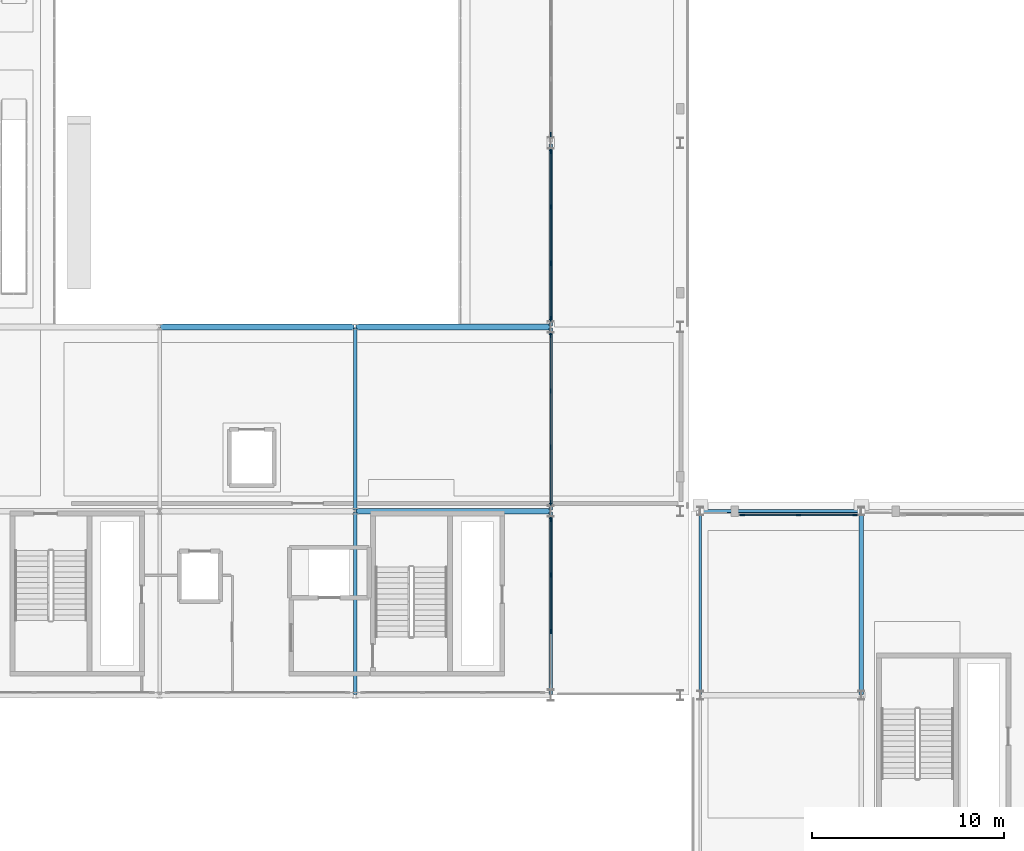
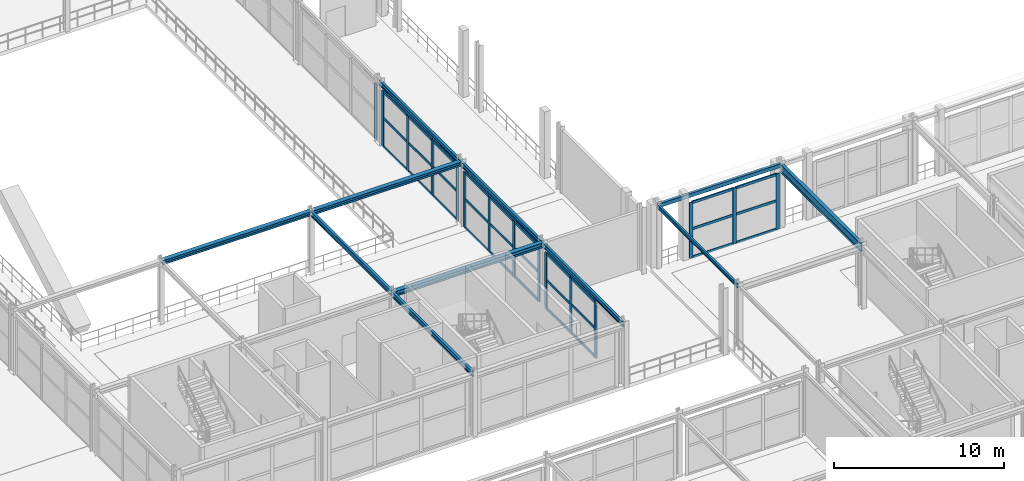
# One storey, part 39 of 125: 45 members, 11 beams, 5 elements without a shape of their own.
"""IFC4 building model written with IfcOpenShell, lengths in metres."""

import ifcopenshell
import ifcopenshell.guid

model = None  # the IFC model being written
_history = None  # IfcOwnerHistory: only IFC2X3 demands one
_inside = {}  # id of a spatial element -> (the spatial element, [elements in it])
_under = {}  # id of a project, library or spatial element -> (it, [spatial elements below it])
_declared = {}  # id of a project -> (the project, [libraries it declares])
_typed = {}  # id of a type object -> (the type object, [elements of that type])
_made_of = {}  # id of a material, layer set ... -> (it, [elements and type objects made of it])


def new_model(schema):
    """Start an empty IFC model of exactly this schema.

    Asked for "IFC4X3", IfcOpenShell would pick the latest addendum, in which some entities
    have other attributes; the version numbers below select the first issue.
    IFC2X3 requires an IfcOwnerHistory on every rooted entity: one is made here for all.
    """
    global model, _history
    if schema == "IFC4X3":
        model = ifcopenshell.file(schema_version=(4, 3, 0, 0))
    else:
        model = ifcopenshell.file(schema=schema)
    _inside.clear()
    _under.clear()
    _declared.clear()
    _typed.clear()
    _made_of.clear()
    _history = None
    if model.schema == "IFC2X3":
        org = make("IfcOrganization", Name="unknown")
        user = make(
            "IfcPersonAndOrganization",
            ThePerson=make("IfcPerson", FamilyName="unknown"),
            TheOrganization=org,
        )
        app = make(
            "IfcApplication",
            ApplicationDeveloper=org,
            Version="unknown",
            ApplicationFullName="unknown",
            ApplicationIdentifier="unknown",
        )
        _history = make(
            "IfcOwnerHistory",
            OwningUser=user,
            OwningApplication=app,
            ChangeAction="ADDED",
            CreationDate=0,
        )
    return model


def make(cls, **values):
    """One entity of the class cls with the attributes given. An attribute that is None is left unset."""
    return model.create_entity(
        cls, **{name: value for name, value in values.items() if value is not None}
    )


def rooted(cls, **values):
    """An entity with a GlobalId (a new one), such as an element, a storey or a relation."""
    return make(cls, GlobalId=ifcopenshell.guid.new(), OwnerHistory=_history, **values)


def si_unit(unit_type, name, prefix=None):
    """IfcSIUnit, for example si_unit("LENGTHUNIT", "METRE", prefix="MILLI")."""
    return make("IfcSIUnit", UnitType=unit_type, Prefix=prefix, Name=name)


def assignment(units):
    """IfcUnitAssignment: the units of a project."""
    return None if units is None else make("IfcUnitAssignment", Units=units)


def point(xyz):
    """IfcCartesianPoint."""
    return None if xyz is None else make("IfcCartesianPoint", Coordinates=xyz)


def direction(xyz):
    """IfcDirection."""
    return None if xyz is None else make("IfcDirection", DirectionRatios=xyz)


def frame(location, z_axis=None, x_axis=None):
    """IfcAxis2Placement3D, a coordinate frame: its origin and axes. An axis left out is left unset."""
    return make(
        "IfcAxis2Placement3D",
        Location=point(location),
        Axis=direction(z_axis),
        RefDirection=direction(x_axis),
    )


def frame_2d(location, x_axis=None):
    """IfcAxis2Placement2D, a coordinate frame in the plane: its origin and x axis."""
    return make(
        "IfcAxis2Placement2D", Location=point(location), RefDirection=direction(x_axis)
    )


def origin():
    """The frame at (0, 0, 0) with its axes left unset."""
    return frame((0.0, 0.0, 0.0))


def origin_2d():
    """The frame at (0, 0) in the plane with its x axis left unset."""
    return frame_2d((0.0, 0.0))


def place(relative_to, where):
    """IfcLocalPlacement: puts the frame where relative to a parent placement (None: the world)."""
    return make(
        "IfcLocalPlacement", PlacementRelTo=relative_to, RelativePlacement=where
    )


def context(
    kind, dimensions, precision=None, world=None, true_north=None, identifier=None
):
    """IfcGeometricRepresentationContext, for example the 3D "Model" context."""
    return make(
        "IfcGeometricRepresentationContext",
        ContextIdentifier=identifier,
        ContextType=kind,
        CoordinateSpaceDimension=dimensions,
        Precision=precision,
        WorldCoordinateSystem=world,
        TrueNorth=true_north,
    )


def subcontext(parent, identifier, kind, view, scale=None):
    """IfcGeometricRepresentationSubContext, for example "Body" below "Model"."""
    return make(
        "IfcGeometricRepresentationSubContext",
        ContextIdentifier=identifier,
        ContextType=kind,
        ParentContext=parent,
        TargetScale=scale,
        TargetView=view,
    )


def project(units=None, contexts=None):
    """IfcProject with its units and contexts."""
    return rooted(
        "IfcProject",
        Name="project",
        RepresentationContexts=contexts,
        UnitsInContext=assignment(units),
    )


def spatial(cls, under=None, at=None, **own):
    """A site, building, storey or space (cls), placed at a placement, below another one or the project."""
    s = rooted(cls, ObjectPlacement=at, **own)
    if under is not None:
        _under.setdefault(under.id(), (under, []))[1].append(s)
    return s


def profile(cls, at=None, kind="AREA", **sizes):
    """A parametric profile (cls). Its sizes go by their IFC names, for example OverallWidth=200.0."""
    return make(cls, ProfileType=kind, Position=at, **sizes)


def rectangle(**sizes):
    """IfcRectangleProfileDef."""
    return profile("IfcRectangleProfileDef", **sizes)


def hollow_rectangle(**sizes):
    """IfcRectangleHollowProfileDef."""
    return profile("IfcRectangleHollowProfileDef", **sizes)


def i_section(**sizes):
    """IfcIShapeProfileDef."""
    return profile("IfcIShapeProfileDef", **sizes)


def extrude(swept, where, along, depth):
    """IfcExtrudedAreaSolid: the profile swept, set in the frame where, extruded along a direction by depth."""
    return make(
        "IfcExtrudedAreaSolid",
        SweptArea=swept,
        Position=where,
        ExtrudedDirection=direction(along),
        Depth=depth,
    )


def shape(context_of_items, identifier, shape_type, items):
    """IfcShapeRepresentation: the items that make up one representation, for example the "Body"."""
    return make(
        "IfcShapeRepresentation",
        ContextOfItems=context_of_items,
        RepresentationIdentifier=identifier,
        RepresentationType=shape_type,
        Items=items,
    )


def material(Name=None, Category=None):
    """IfcMaterial."""
    return make("IfcMaterial", Name=Name, Category=Category)


def layer(
    of_material, thickness, ventilated=None, Name=None, Category=None, Priority=None
):
    """IfcMaterialLayer: one layer of a wall or slab, of a material (None: an air gap)."""
    return make(
        "IfcMaterialLayer",
        Material=of_material,
        LayerThickness=thickness,
        IsVentilated=ventilated,
        Name=Name,
        Category=Category,
        Priority=Priority,
    )


def layer_set(layers, Name=None):
    """IfcMaterialLayerSet."""
    return make("IfcMaterialLayerSet", MaterialLayers=layers, LayerSetName=Name)


def material_profile(
    of_material, cross_section, Name=None, Category=None, Priority=None
):
    """IfcMaterialProfile: a cross section and its material."""
    return make(
        "IfcMaterialProfile",
        Name=Name,
        Material=of_material,
        Profile=cross_section,
        Priority=Priority,
        Category=Category,
    )


def profile_set(profiles, Name=None, composite=None):
    """IfcMaterialProfileSet."""
    return make(
        "IfcMaterialProfileSet",
        Name=Name,
        MaterialProfiles=profiles,
        CompositeProfile=composite,
    )


def made_of(thing, what):
    """Note that an element or type object is made of a material, layer set ...; save() writes the relation."""
    if what is not None:
        _made_of.setdefault(what.id(), (what, []))[1].append(thing)
    return thing


def type_object(cls, material=None, **own):
    """A type object (cls), such as IfcWallType, which elements share."""
    return made_of(rooted(cls, **own), material)


def element(
    cls,
    number,
    at=None,
    inside=None,
    cuts=None,
    type_object=None,
    material=None,
    context=None,
    identifier="Body",
    shape_type=None,
    held_by="IfcProductDefinitionShape",
    body=None,
    shapes=None,
    **own,
):
    """One element of the class cls, such as IfcWall. Its Tag is "e" and its number.

    at: its placement. inside: the storey or other place that contains it. cuts: it is an
    opening in that element (IfcRelVoidsElement). A single representation is given by context,
    identifier, shape_type and body (its items); several are given by shapes. held_by: the class
    of the entity that holds the representations. save() writes the other relations.
    """
    e = rooted(cls, Tag="e%d" % number, ObjectPlacement=at, **own)
    if body is not None:
        shapes = [shape(context, identifier, shape_type, body)]
    if shapes is not None:
        e.Representation = make(held_by, Representations=shapes)
    if inside is not None:
        _inside.setdefault(inside.id(), (inside, []))[1].append(e)
    if cuts is not None:
        rooted(
            "IfcRelVoidsElement", RelatingBuildingElement=cuts, RelatedOpeningElement=e
        )
    if type_object is not None:
        _typed.setdefault(type_object.id(), (type_object, []))[1].append(e)
    return made_of(e, material)


def aggregate(whole, parts):
    """IfcRelAggregates: a whole, such as a stair, and the parts it consists of."""
    return rooted("IfcRelAggregates", RelatingObject=whole, RelatedObjects=parts)


def save(model, path):
    """Write the relations noted so far, then the file.

    IfcRelAggregates (storeys below a building ...), IfcRelContainedInSpatialStructure (elements
    in a storey), IfcRelDefinesByType, IfcRelAssociatesMaterial and IfcRelDeclares: one each for
    every whole, place, type object, material and project.
    """
    for whole, parts in _under.values():
        aggregate(whole, parts)
    for where, things in _inside.values():
        rooted(
            "IfcRelContainedInSpatialStructure",
            RelatedElements=things,
            RelatingStructure=where,
        )
    for kind, things in _typed.values():
        rooted("IfcRelDefinesByType", RelatedObjects=things, RelatingType=kind)
    for what, things in _made_of.values():
        rooted("IfcRelAssociatesMaterial", RelatedObjects=things, RelatingMaterial=what)
    for by, libraries in _declared.values():
        rooted("IfcRelDeclares", RelatingContext=by, RelatedDefinitions=libraries)
    model.write(path)


model = new_model("IFC4")

# Units and contexts
model_context = context("Model", 3, precision=1e-05, world=origin(), true_north=direction((0.0, 1.0)))
body_context = subcontext(model_context, "Body", "Model", "MODEL_VIEW")
ifc_project = project(units=[si_unit("LENGTHUNIT", "METRE"), si_unit("AREAUNIT", "SQUARE_METRE"), si_unit("VOLUMEUNIT", "CUBIC_METRE"), si_unit("PLANEANGLEUNIT", "RADIAN"), si_unit("MASSUNIT", "GRAM", prefix="KILO")], contexts=[model_context])

# Site, building, storey
site_placement = place(None, origin())
site = spatial("IfcSite", under=ifc_project, at=site_placement, CompositionType="ELEMENT")
building_placement = place(site_placement, origin())
building = spatial("IfcBuilding", under=site, at=building_placement, Name="Myrtia Square Station", CompositionType="ELEMENT")
storey_placement = place(building_placement, frame((0.0, 0.0, 6.0)))
storey = spatial("IfcBuildingStorey", under=building, at=storey_placement, Name="L01", CompositionType="ELEMENT", Elevation=6.0)

# Beams
ifc_material_1 = material(Name="Steel S355", Category="steel")
ifc_material_profile_1 = material_profile(ifc_material_1, i_section(OverallWidth=0.300048828125, OverallDepth=0.300048828125, WebThickness=0.010986328125, FlangeThickness=0.01904296875, FilletRadius=0.027099609375, at=origin_2d()), Name="HEB 300")
ifc_profile_set_1 = profile_set([ifc_material_profile_1], Name="Steel S355")
beam_type_1 = type_object("IfcBeamType", Name="BM-HEB300", PredefinedType="BEAM", material=ifc_profile_set_1)
for number, where, z_axis, x_axis, name in (
    (1, (89.449951171875, 48.0, 4.39990234375), (1.0, 0.0, 0.0), (0.0, 1.0, 0.0), "Structural girder BMX-L01-0541"),
    (2, (99.64990234375, 48.0, 4.39990234375), (1.0, 0.0, 0.0), (0.0, 1.0, 0.0), "Structural girder BMX-L01-0542"),
):
    element("IfcBeam", number, at=place(storey_placement, frame(where, z_axis=z_axis, x_axis=x_axis)), inside=storey, type_object=beam_type_1, Name=name, PredefinedType="BEAM", context=body_context, shape_type="SweptSolid", body=[
        extrude(i_section(OverallWidth=0.300048828125, OverallDepth=0.300048828125, WebThickness=0.010986328125, FlangeThickness=0.01904296875, FilletRadius=0.027099609375, at=origin_2d()), origin(), (0.0, 0.0, 1.0), 10.10009765625),
    ])
ifc_material_profile_2 = material_profile(ifc_material_1, i_section(OverallWidth=0.300048828125, OverallDepth=0.360107421875, WebThickness=0.012451171875, FlangeThickness=0.0224609375, FilletRadius=0.027099609375, at=origin_2d()), Name="HEB 360")
ifc_profile_set_2 = profile_set([ifc_material_profile_2], Name="Steel S355")
beam_type_2 = type_object("IfcBeamType", Name="BM-HEB360", PredefinedType="BEAM", material=ifc_profile_set_2)
beam_1_placement = place(storey_placement, frame((99.64990234375, 38.39990234375, 4.3701171875), z_axis=(1.0, 0.0, 0.0), x_axis=(0.0, 1.0, 0.0)))
element("IfcBeam", 3, at=beam_1_placement, inside=storey, type_object=beam_type_2, Name="Structural girder BMX-L01-0539", PredefinedType="BEAM", context=body_context, shape_type="SweptSolid", body=[
    extrude(i_section(OverallWidth=0.300048828125, OverallDepth=0.360107421875, WebThickness=0.012451171875, FlangeThickness=0.0224609375, FilletRadius=0.027099609375, at=origin_2d()), origin(), (0.0, 0.0, 1.0), 10.10009765625),
])
ifc_material_profile_3 = material_profile(ifc_material_1, i_section(OverallWidth=0.135009765625, OverallDepth=0.27001953125, WebThickness=0.006591796875, FlangeThickness=0.01025390625, FilletRadius=0.014892578125, at=origin_2d()), Name="IPE 270")
ifc_profile_set_3 = profile_set([ifc_material_profile_3], Name="Steel S355")
beam_type_3 = type_object("IfcBeamType", Name="BM-IPE270", PredefinedType="BEAM", material=ifc_profile_set_3)
beam_2_placement = place(storey_placement, frame((117.60009765625, 28.85009765625, 4.4150390625), z_axis=(0.0, 1.0, 0.0), x_axis=(-1.0, 0.0, 0.0)))
element("IfcBeam", 4, at=beam_2_placement, inside=storey, type_object=beam_type_3, Name="Structural girder BMY-L01-0615", PredefinedType="BEAM", context=body_context, shape_type="SweptSolid", body=[
    extrude(i_section(OverallWidth=0.135009765625, OverallDepth=0.27001953125, WebThickness=0.006591796875, FlangeThickness=0.01025390625, FilletRadius=0.014892578125, at=origin_2d()), origin(), (0.0, 0.0, 1.0), 9.5),
])
ifc_material_profile_4 = material_profile(ifc_material_1, i_section(OverallWidth=0.159912109375, OverallDepth=0.330078125, WebThickness=0.007568359375, FlangeThickness=0.011474609375, FilletRadius=0.01806640625, at=origin_2d()), Name="IPE 330")
ifc_profile_set_4 = profile_set([ifc_material_profile_4], Name="Steel S355")
beam_type_4 = type_object("IfcBeamType", Name="BM-IPE330", PredefinedType="BEAM", material=ifc_profile_set_4)
for number, where, z_axis, x_axis, name in (
    (5, (109.800048828125, 28.85009765625, 4.385009765625), (0.0, 1.0, 0.0), (-1.0, 0.0, 0.0), "Structural girder BMY-L01-0567"),
    (6, (109.800048828125, 38.449951171875, 4.385009765625), (0.0, 1.0, 0.0), (-1.0, 0.0, 0.0), "Structural girder BMY-L01-0568"),
    (7, (109.800048828125, 48.050048828125, 4.385009765625), (0.0, 1.0, 0.0), (-1.0, 0.0, 0.0), "Structural girder BMY-L01-0569"),
):
    element("IfcBeam", number, at=place(storey_placement, frame(where, z_axis=z_axis, x_axis=x_axis)), inside=storey, type_object=beam_type_4, Name=name, PredefinedType="BEAM", context=body_context, shape_type="SweptSolid", body=[
        extrude(i_section(OverallWidth=0.159912109375, OverallDepth=0.330078125, WebThickness=0.007568359375, FlangeThickness=0.011474609375, FilletRadius=0.01806640625, at=origin_2d()), origin(), (0.0, 0.0, 1.0), 9.5),
    ])
ifc_material_profile_5 = material_profile(ifc_material_1, i_section(OverallWidth=0.169921875, OverallDepth=0.360107421875, WebThickness=0.008056640625, FlangeThickness=0.0126953125, FilletRadius=0.01806640625, at=origin_2d()), Name="IPE 360")
ifc_profile_set_5 = profile_set([ifc_material_profile_5], Name="Steel S355")
beam_type_5 = type_object("IfcBeamType", Name="BM-IPE360", PredefinedType="BEAM", material=ifc_profile_set_5)
for number, where, z_axis, x_axis, name in (
    (8, (99.60009765625, 28.85009765625, 4.3701171875), (0.0, 1.0, 0.0), (-1.0, 0.0, 0.0), "Structural girder BMY-L01-0563"),
    (9, (99.60009765625, 38.449951171875, 4.3701171875), (0.0, 1.0, 0.0), (-1.0, 0.0, 0.0), "Structural girder BMY-L01-0564"),
):
    element("IfcBeam", number, at=place(storey_placement, frame(where, z_axis=z_axis, x_axis=x_axis)), inside=storey, type_object=beam_type_5, Name=name, PredefinedType="BEAM", context=body_context, shape_type="SweptSolid", body=[
        extrude(i_section(OverallWidth=0.169921875, OverallDepth=0.360107421875, WebThickness=0.008056640625, FlangeThickness=0.0126953125, FilletRadius=0.01806640625, at=origin_2d()), origin(), (0.0, 0.0, 1.0), 9.5),
    ])
ifc_material_profile_6 = material_profile(ifc_material_1, i_section(OverallWidth=0.219970703125, OverallDepth=0.60009765625, WebThickness=0.011962890625, FlangeThickness=0.01904296875, FilletRadius=0.02392578125, at=origin_2d()), Name="IPE 600")
ifc_profile_set_6 = profile_set([ifc_material_profile_6], Name="Steel S355")
beam_type_6 = type_object("IfcBeamType", Name="BM-IPE600", PredefinedType="BEAM", material=ifc_profile_set_6)
beam_3_placement = place(storey_placement, frame((126.0, 28.85009765625, 4.25), z_axis=(0.0, 1.0, 0.0), x_axis=(-1.0, 0.0, 0.0)))
element("IfcBeam", 10, at=beam_3_placement, inside=storey, type_object=beam_type_6, Name="Structural girder BMY-L01-0619", PredefinedType="BEAM", context=body_context, shape_type="SweptSolid", body=[
    extrude(i_section(OverallWidth=0.219970703125, OverallDepth=0.60009765625, WebThickness=0.011962890625, FlangeThickness=0.01904296875, FilletRadius=0.02392578125, at=origin_2d()), origin(), (0.0, 0.0, 1.0), 9.5),
])

# Curtain wall, members
ifc_material_2 = material(Name="Dark bronze anodised aluminium", Category="aluminium")
ifc_layer_1 = layer(ifc_material_2, 0.159912109375, Name="Dark bronze anodised aluminium")
ifc_layer_set_1 = layer_set([ifc_layer_1], Name="Dark bronze anodised aluminium")
curtain_wall_type_1 = type_object("IfcCurtainWallType", Name="CW-TYPE-04-880x400", PredefinedType="USERDEFINED", material=ifc_layer_set_1)
curtain_wall_1_placement = place(storey_placement, origin())
curtain_wall_1 = element("IfcCurtainWall", 11, at=curtain_wall_1_placement, inside=storey, type_object=curtain_wall_type_1, Name="Concourse curtain wall CW-L01-006", ObjectType="CONCOURSE CURTAIN WALL", PredefinedType="USERDEFINED")
ifc_material_profile_7 = material_profile(ifc_material_2, rectangle(XDim=0.074951171875, YDim=0.239990234375, at=origin_2d()), Name="ALU-M 75x240")
ifc_profile_set_7 = profile_set([ifc_material_profile_7], Name="Dark bronze anodised aluminium")
member_type_1 = type_object("IfcMemberType", Name="CWM-75x240", PredefinedType="MULLION", material=ifc_profile_set_7)
member_1_placement = place(storey_placement, frame((109.800048828125, 32.13330078125, 0.0), z_axis=(0.0, 0.0, 1.0), x_axis=(-1.0, 0.0, 0.0)))
member_1 = element("IfcMember", 12, at=member_1_placement, type_object=member_type_1, Name="CW-006 mullion 2", PredefinedType="MULLION", context=body_context, shape_type="SweptSolid", body=[
    extrude(rectangle(XDim=0.074951171875, YDim=0.239990234375, at=origin_2d()), origin(), (0.0, 0.0, 1.0), 4.0),
])
member_2_placement = place(storey_placement, frame((109.800048828125, 35.066650390625, 0.0), z_axis=(0.0, 0.0, 1.0), x_axis=(-1.0, 0.0, 0.0)))
member_2 = element("IfcMember", 13, at=member_2_placement, type_object=member_type_1, Name="CW-006 mullion 3", PredefinedType="MULLION", context=body_context, shape_type="SweptSolid", body=[
    extrude(rectangle(XDim=0.074951171875, YDim=0.239990234375, at=origin_2d()), origin(), (0.0, 0.0, 1.0), 4.0),
])
member_3_placement = place(storey_placement, frame((109.800048828125, 37.96240234375, 0.0), z_axis=(0.0, 0.0, 1.0), x_axis=(-1.0, 0.0, 0.0)))
member_3 = element("IfcMember", 14, at=member_3_placement, type_object=member_type_1, Name="CW-006 mullion 4", PredefinedType="MULLION", context=body_context, shape_type="SweptSolid", body=[
    extrude(rectangle(XDim=0.074951171875, YDim=0.239990234375, at=origin_2d()), origin(), (0.0, 0.0, 1.0), 4.0),
])

curtain_wall_2_placement = place(storey_placement, origin())
curtain_wall_2 = element("IfcCurtainWall", 15, at=curtain_wall_2_placement, inside=storey, type_object=curtain_wall_type_1, Name="Concourse curtain wall CW-L01-008", ObjectType="CONCOURSE CURTAIN WALL", PredefinedType="USERDEFINED")
member_4_placement = place(storey_placement, frame((109.800048828125, 38.83740234375, 0.0), z_axis=(0.0, 0.0, 1.0), x_axis=(-1.0, 0.0, 0.0)))
member_4 = element("IfcMember", 16, at=member_4_placement, type_object=member_type_1, Name="CW-008 mullion 1", PredefinedType="MULLION", context=body_context, shape_type="SweptSolid", body=[
    extrude(rectangle(XDim=0.074951171875, YDim=0.239990234375, at=origin_2d()), origin(), (0.0, 0.0, 1.0), 4.0),
])
member_5_placement = place(storey_placement, frame((109.800048828125, 41.7333984375, 0.0), z_axis=(0.0, 0.0, 1.0), x_axis=(-1.0, 0.0, 0.0)))
member_5 = element("IfcMember", 17, at=member_5_placement, type_object=member_type_1, Name="CW-008 mullion 2", PredefinedType="MULLION", context=body_context, shape_type="SweptSolid", body=[
    extrude(rectangle(XDim=0.074951171875, YDim=0.239990234375, at=origin_2d()), origin(), (0.0, 0.0, 1.0), 4.0),
])
member_6_placement = place(storey_placement, frame((109.800048828125, 44.666748046875, 0.0), z_axis=(0.0, 0.0, 1.0), x_axis=(-1.0, 0.0, 0.0)))
member_6 = element("IfcMember", 18, at=member_6_placement, type_object=member_type_1, Name="CW-008 mullion 3", PredefinedType="MULLION", context=body_context, shape_type="SweptSolid", body=[
    extrude(rectangle(XDim=0.074951171875, YDim=0.239990234375, at=origin_2d()), origin(), (0.0, 0.0, 1.0), 4.0),
])
member_7_placement = place(storey_placement, frame((109.800048828125, 47.5625, 0.0), z_axis=(0.0, 0.0, 1.0), x_axis=(-1.0, 0.0, 0.0)))
member_7 = element("IfcMember", 19, at=member_7_placement, type_object=member_type_1, Name="CW-008 mullion 4", PredefinedType="MULLION", context=body_context, shape_type="SweptSolid", body=[
    extrude(rectangle(XDim=0.074951171875, YDim=0.239990234375, at=origin_2d()), origin(), (0.0, 0.0, 1.0), 4.0),
])

curtain_wall_3_placement = place(storey_placement, origin())
curtain_wall_3 = element("IfcCurtainWall", 20, at=curtain_wall_3_placement, inside=storey, type_object=curtain_wall_type_1, Name="Concourse curtain wall CW-L01-010", ObjectType="CONCOURSE CURTAIN WALL", PredefinedType="USERDEFINED")
member_8_placement = place(storey_placement, frame((109.800048828125, 48.4375, 0.0), z_axis=(0.0, 0.0, 1.0), x_axis=(-1.0, 0.0, 0.0)))
member_8 = element("IfcMember", 21, at=member_8_placement, type_object=member_type_1, Name="CW-010 mullion 1", PredefinedType="MULLION", context=body_context, shape_type="SweptSolid", body=[
    extrude(rectangle(XDim=0.074951171875, YDim=0.239990234375, at=origin_2d()), origin(), (0.0, 0.0, 1.0), 4.0),
])
member_9_placement = place(storey_placement, frame((109.800048828125, 51.333251953125, 0.0), z_axis=(0.0, 0.0, 1.0), x_axis=(-1.0, 0.0, 0.0)))
member_9 = element("IfcMember", 22, at=member_9_placement, type_object=member_type_1, Name="CW-010 mullion 2", PredefinedType="MULLION", context=body_context, shape_type="SweptSolid", body=[
    extrude(rectangle(XDim=0.074951171875, YDim=0.239990234375, at=origin_2d()), origin(), (0.0, 0.0, 1.0), 4.0),
])
member_10_placement = place(storey_placement, frame((109.800048828125, 54.2666015625, 0.0), z_axis=(0.0, 0.0, 1.0), x_axis=(-1.0, 0.0, 0.0)))
member_10 = element("IfcMember", 23, at=member_10_placement, type_object=member_type_1, Name="CW-010 mullion 3", PredefinedType="MULLION", context=body_context, shape_type="SweptSolid", body=[
    extrude(rectangle(XDim=0.074951171875, YDim=0.239990234375, at=origin_2d()), origin(), (0.0, 0.0, 1.0), 4.0),
])
member_11_placement = place(storey_placement, frame((109.800048828125, 57.16259765625, 0.0), z_axis=(0.0, 0.0, 1.0), x_axis=(-1.0, 0.0, 0.0)))
member_11 = element("IfcMember", 24, at=member_11_placement, type_object=member_type_1, Name="CW-010 mullion 4", PredefinedType="MULLION", context=body_context, shape_type="SweptSolid", body=[
    extrude(rectangle(XDim=0.074951171875, YDim=0.239990234375, at=origin_2d()), origin(), (0.0, 0.0, 1.0), 4.0),
])

# Curtain wall, member
curtain_wall_4_placement = place(storey_placement, origin())
curtain_wall_4 = element("IfcCurtainWall", 25, at=curtain_wall_4_placement, inside=storey, type_object=curtain_wall_type_1, Name="Concourse curtain wall CW-L01-012", ObjectType="CONCOURSE CURTAIN WALL", PredefinedType="USERDEFINED")
member_12_placement = place(storey_placement, frame((109.800048828125, 58.03759765625, 0.0), z_axis=(0.0, 0.0, 1.0), x_axis=(-1.0, 0.0, 0.0)))
member_12 = element("IfcMember", 26, at=member_12_placement, type_object=member_type_1, Name="CW-012 mullion 1", PredefinedType="MULLION", context=body_context, shape_type="SweptSolid", body=[
    extrude(rectangle(XDim=0.074951171875, YDim=0.239990234375, at=origin_2d()), origin(), (0.0, 0.0, 1.0), 4.0),
])
aggregate(curtain_wall_4, [member_12])

# Curtain wall, members
ifc_layer_2 = layer(ifc_material_2, 0.159912109375, Name="Dark bronze anodised aluminium")
ifc_layer_set_2 = layer_set([ifc_layer_2], Name="Dark bronze anodised aluminium")
curtain_wall_type_2 = type_object("IfcCurtainWallType", Name="CW-TYPE-25-595x400", PredefinedType="USERDEFINED", material=ifc_layer_set_2)
curtain_wall_5_placement = place(storey_placement, origin())
curtain_wall_5 = element("IfcCurtainWall", 27, at=curtain_wall_5_placement, inside=storey, type_object=curtain_wall_type_2, Name="Concourse curtain wall CW-L01-090", ObjectType="CONCOURSE CURTAIN WALL", PredefinedType="USERDEFINED")
member_13_placement = place(storey_placement, frame((119.78759765625, 38.199951171875, 0.0), z_axis=(0.0, 0.0, 1.0), x_axis=(0.0, 1.0, 0.0)))
member_13 = element("IfcMember", 28, at=member_13_placement, type_object=member_type_1, Name="CW-090 mullion 1", PredefinedType="MULLION", context=body_context, shape_type="SweptSolid", body=[
    extrude(rectangle(XDim=0.074951171875, YDim=0.239990234375, at=origin_2d()), origin(), (0.0, 0.0, 1.0), 4.0),
])
member_14_placement = place(storey_placement, frame((122.72509765625, 38.199951171875, 0.0), z_axis=(0.0, 0.0, 1.0), x_axis=(0.0, 1.0, 0.0)))
member_14 = element("IfcMember", 29, at=member_14_placement, type_object=member_type_1, Name="CW-090 mullion 2", PredefinedType="MULLION", context=body_context, shape_type="SweptSolid", body=[
    extrude(rectangle(XDim=0.074951171875, YDim=0.239990234375, at=origin_2d()), origin(), (0.0, 0.0, 1.0), 4.0),
])
member_15_placement = place(storey_placement, frame((125.66259765625, 38.199951171875, 0.0), z_axis=(0.0, 0.0, 1.0), x_axis=(0.0, 1.0, 0.0)))
member_15 = element("IfcMember", 30, at=member_15_placement, type_object=member_type_1, Name="CW-090 mullion 3", PredefinedType="MULLION", context=body_context, shape_type="SweptSolid", body=[
    extrude(rectangle(XDim=0.074951171875, YDim=0.239990234375, at=origin_2d()), origin(), (0.0, 0.0, 1.0), 4.0),
])

# Member
ifc_material_profile_8 = material_profile(ifc_material_2, rectangle(XDim=0.074951171875, YDim=0.179931640625, at=origin_2d()), Name="ALU-T 75x180")
ifc_profile_set_8 = profile_set([ifc_material_profile_8], Name="Dark bronze anodised aluminium")
member_type_2 = type_object("IfcMemberType", Name="CWT-75x180", PredefinedType="USERDEFINED", material=ifc_profile_set_8)
member_16_placement = place(storey_placement, frame((109.800048828125, 32.1708984375, 0.03759765625), z_axis=(0.0, 1.0, 0.0), x_axis=(-1.0, 0.0, 0.0)))
member_16 = element("IfcMember", 31, at=member_16_placement, type_object=member_type_2, Name="CW-006 transom 2.1", ObjectType="TRANSOM", PredefinedType="USERDEFINED", context=body_context, shape_type="SweptSolid", body=[
    extrude(rectangle(XDim=0.074951171875, YDim=0.179931640625, at=origin_2d()), origin(), (0.0, 0.0, 1.0), 2.858154296875),
])

member_17_placement = place(storey_placement, frame((109.800048828125, 32.1708984375, 2.080078125), z_axis=(0.0, 1.0, 0.0), x_axis=(-1.0, 0.0, 0.0)))
member_17 = element("IfcMember", 32, at=member_17_placement, type_object=member_type_2, Name="CW-006 transom 2.2", ObjectType="TRANSOM", PredefinedType="USERDEFINED", context=body_context, shape_type="SweptSolid", body=[
    extrude(rectangle(XDim=0.074951171875, YDim=0.179931640625, at=origin_2d()), origin(), (0.0, 0.0, 1.0), 2.858154296875),
])

member_18_placement = place(storey_placement, frame((109.800048828125, 32.1708984375, 3.96240234375), z_axis=(0.0, 1.0, 0.0), x_axis=(-1.0, 0.0, 0.0)))
member_18 = element("IfcMember", 33, at=member_18_placement, type_object=member_type_2, Name="CW-006 transom 2.3", ObjectType="TRANSOM", PredefinedType="USERDEFINED", context=body_context, shape_type="SweptSolid", body=[
    extrude(rectangle(XDim=0.074951171875, YDim=0.179931640625, at=origin_2d()), origin(), (0.0, 0.0, 1.0), 2.858154296875),
])

member_19_placement = place(storey_placement, frame((109.800048828125, 35.104248046875, 0.03759765625), z_axis=(0.0, 1.0, 0.0), x_axis=(-1.0, 0.0, 0.0)))
member_19 = element("IfcMember", 34, at=member_19_placement, type_object=member_type_2, Name="CW-006 transom 3.1", ObjectType="TRANSOM", PredefinedType="USERDEFINED", context=body_context, shape_type="SweptSolid", body=[
    extrude(rectangle(XDim=0.074951171875, YDim=0.179931640625, at=origin_2d()), origin(), (0.0, 0.0, 1.0), 2.82080078125),
])

member_20_placement = place(storey_placement, frame((109.800048828125, 35.104248046875, 2.080078125), z_axis=(0.0, 1.0, 0.0), x_axis=(-1.0, 0.0, 0.0)))
member_20 = element("IfcMember", 35, at=member_20_placement, type_object=member_type_2, Name="CW-006 transom 3.2", ObjectType="TRANSOM", PredefinedType="USERDEFINED", context=body_context, shape_type="SweptSolid", body=[
    extrude(rectangle(XDim=0.074951171875, YDim=0.179931640625, at=origin_2d()), origin(), (0.0, 0.0, 1.0), 2.82080078125),
])

member_21_placement = place(storey_placement, frame((109.800048828125, 35.104248046875, 3.96240234375), z_axis=(0.0, 1.0, 0.0), x_axis=(-1.0, 0.0, 0.0)))
member_21 = element("IfcMember", 36, at=member_21_placement, type_object=member_type_2, Name="CW-006 transom 3.3", ObjectType="TRANSOM", PredefinedType="USERDEFINED", context=body_context, shape_type="SweptSolid", body=[
    extrude(rectangle(XDim=0.074951171875, YDim=0.179931640625, at=origin_2d()), origin(), (0.0, 0.0, 1.0), 2.82080078125),
])

aggregate(curtain_wall_1, [member_1, member_2, member_3, member_16, member_17, member_18, member_19, member_20, member_21])

member_22_placement = place(storey_placement, frame((109.800048828125, 38.875, 0.03759765625), z_axis=(0.0, 1.0, 0.0), x_axis=(-1.0, 0.0, 0.0)))
member_22 = element("IfcMember", 37, at=member_22_placement, type_object=member_type_2, Name="CW-008 transom 1.1", ObjectType="TRANSOM", PredefinedType="USERDEFINED", context=body_context, shape_type="SweptSolid", body=[
    extrude(rectangle(XDim=0.074951171875, YDim=0.179931640625, at=origin_2d()), origin(), (0.0, 0.0, 1.0), 2.82080078125),
])

member_23_placement = place(storey_placement, frame((109.800048828125, 38.875, 2.080078125), z_axis=(0.0, 1.0, 0.0), x_axis=(-1.0, 0.0, 0.0)))
member_23 = element("IfcMember", 38, at=member_23_placement, type_object=member_type_2, Name="CW-008 transom 1.2", ObjectType="TRANSOM", PredefinedType="USERDEFINED", context=body_context, shape_type="SweptSolid", body=[
    extrude(rectangle(XDim=0.074951171875, YDim=0.179931640625, at=origin_2d()), origin(), (0.0, 0.0, 1.0), 2.82080078125),
])

member_24_placement = place(storey_placement, frame((109.800048828125, 38.875, 3.96240234375), z_axis=(0.0, 1.0, 0.0), x_axis=(-1.0, 0.0, 0.0)))
member_24 = element("IfcMember", 39, at=member_24_placement, type_object=member_type_2, Name="CW-008 transom 1.3", ObjectType="TRANSOM", PredefinedType="USERDEFINED", context=body_context, shape_type="SweptSolid", body=[
    extrude(rectangle(XDim=0.074951171875, YDim=0.179931640625, at=origin_2d()), origin(), (0.0, 0.0, 1.0), 2.82080078125),
])

member_25_placement = place(storey_placement, frame((109.800048828125, 41.770751953125, 0.03759765625), z_axis=(0.0, 1.0, 0.0), x_axis=(-1.0, 0.0, 0.0)))
member_25 = element("IfcMember", 40, at=member_25_placement, type_object=member_type_2, Name="CW-008 transom 2.1", ObjectType="TRANSOM", PredefinedType="USERDEFINED", context=body_context, shape_type="SweptSolid", body=[
    extrude(rectangle(XDim=0.074951171875, YDim=0.179931640625, at=origin_2d()), origin(), (0.0, 0.0, 1.0), 2.8583984375),
])

member_26_placement = place(storey_placement, frame((109.800048828125, 41.770751953125, 2.080078125), z_axis=(0.0, 1.0, 0.0), x_axis=(-1.0, 0.0, 0.0)))
member_26 = element("IfcMember", 41, at=member_26_placement, type_object=member_type_2, Name="CW-008 transom 2.2", ObjectType="TRANSOM", PredefinedType="USERDEFINED", context=body_context, shape_type="SweptSolid", body=[
    extrude(rectangle(XDim=0.074951171875, YDim=0.179931640625, at=origin_2d()), origin(), (0.0, 0.0, 1.0), 2.8583984375),
])

member_27_placement = place(storey_placement, frame((109.800048828125, 41.770751953125, 3.96240234375), z_axis=(0.0, 1.0, 0.0), x_axis=(-1.0, 0.0, 0.0)))
member_27 = element("IfcMember", 42, at=member_27_placement, type_object=member_type_2, Name="CW-008 transom 2.3", ObjectType="TRANSOM", PredefinedType="USERDEFINED", context=body_context, shape_type="SweptSolid", body=[
    extrude(rectangle(XDim=0.074951171875, YDim=0.179931640625, at=origin_2d()), origin(), (0.0, 0.0, 1.0), 2.8583984375),
])

member_28_placement = place(storey_placement, frame((109.800048828125, 44.7041015625, 0.03759765625), z_axis=(0.0, 1.0, 0.0), x_axis=(-1.0, 0.0, 0.0)))
member_28 = element("IfcMember", 43, at=member_28_placement, type_object=member_type_2, Name="CW-008 transom 3.1", ObjectType="TRANSOM", PredefinedType="USERDEFINED", context=body_context, shape_type="SweptSolid", body=[
    extrude(rectangle(XDim=0.074951171875, YDim=0.179931640625, at=origin_2d()), origin(), (0.0, 0.0, 1.0), 2.82080078125),
])

member_29_placement = place(storey_placement, frame((109.800048828125, 44.7041015625, 2.080078125), z_axis=(0.0, 1.0, 0.0), x_axis=(-1.0, 0.0, 0.0)))
member_29 = element("IfcMember", 44, at=member_29_placement, type_object=member_type_2, Name="CW-008 transom 3.2", ObjectType="TRANSOM", PredefinedType="USERDEFINED", context=body_context, shape_type="SweptSolid", body=[
    extrude(rectangle(XDim=0.074951171875, YDim=0.179931640625, at=origin_2d()), origin(), (0.0, 0.0, 1.0), 2.82080078125),
])

member_30_placement = place(storey_placement, frame((109.800048828125, 44.7041015625, 3.96240234375), z_axis=(0.0, 1.0, 0.0), x_axis=(-1.0, 0.0, 0.0)))
member_30 = element("IfcMember", 45, at=member_30_placement, type_object=member_type_2, Name="CW-008 transom 3.3", ObjectType="TRANSOM", PredefinedType="USERDEFINED", context=body_context, shape_type="SweptSolid", body=[
    extrude(rectangle(XDim=0.074951171875, YDim=0.179931640625, at=origin_2d()), origin(), (0.0, 0.0, 1.0), 2.82080078125),
])

aggregate(curtain_wall_2, [member_4, member_5, member_6, member_7, member_22, member_23, member_24, member_25, member_26, member_27, member_28, member_29, member_30])

member_31_placement = place(storey_placement, frame((109.800048828125, 48.47509765625, 0.03759765625), z_axis=(0.0, 1.0, 0.0), x_axis=(-1.0, 0.0, 0.0)))
member_31 = element("IfcMember", 46, at=member_31_placement, type_object=member_type_2, Name="CW-010 transom 1.1", ObjectType="TRANSOM", PredefinedType="USERDEFINED", context=body_context, shape_type="SweptSolid", body=[
    extrude(rectangle(XDim=0.074951171875, YDim=0.179931640625, at=origin_2d()), origin(), (0.0, 0.0, 1.0), 2.82080078125),
])

member_32_placement = place(storey_placement, frame((109.800048828125, 48.47509765625, 2.080078125), z_axis=(0.0, 1.0, 0.0), x_axis=(-1.0, 0.0, 0.0)))
member_32 = element("IfcMember", 47, at=member_32_placement, type_object=member_type_2, Name="CW-010 transom 1.2", ObjectType="TRANSOM", PredefinedType="USERDEFINED", context=body_context, shape_type="SweptSolid", body=[
    extrude(rectangle(XDim=0.074951171875, YDim=0.179931640625, at=origin_2d()), origin(), (0.0, 0.0, 1.0), 2.82080078125),
])

member_33_placement = place(storey_placement, frame((109.800048828125, 48.47509765625, 3.96240234375), z_axis=(0.0, 1.0, 0.0), x_axis=(-1.0, 0.0, 0.0)))
member_33 = element("IfcMember", 48, at=member_33_placement, type_object=member_type_2, Name="CW-010 transom 1.3", ObjectType="TRANSOM", PredefinedType="USERDEFINED", context=body_context, shape_type="SweptSolid", body=[
    extrude(rectangle(XDim=0.074951171875, YDim=0.179931640625, at=origin_2d()), origin(), (0.0, 0.0, 1.0), 2.82080078125),
])

member_34_placement = place(storey_placement, frame((109.800048828125, 51.370849609375, 0.03759765625), z_axis=(0.0, 1.0, 0.0), x_axis=(-1.0, 0.0, 0.0)))
member_34 = element("IfcMember", 49, at=member_34_placement, type_object=member_type_2, Name="CW-010 transom 2.1", ObjectType="TRANSOM", PredefinedType="USERDEFINED", context=body_context, shape_type="SweptSolid", body=[
    extrude(rectangle(XDim=0.074951171875, YDim=0.179931640625, at=origin_2d()), origin(), (0.0, 0.0, 1.0), 2.8583984375),
])

member_35_placement = place(storey_placement, frame((109.800048828125, 51.370849609375, 2.080078125), z_axis=(0.0, 1.0, 0.0), x_axis=(-1.0, 0.0, 0.0)))
member_35 = element("IfcMember", 50, at=member_35_placement, type_object=member_type_2, Name="CW-010 transom 2.2", ObjectType="TRANSOM", PredefinedType="USERDEFINED", context=body_context, shape_type="SweptSolid", body=[
    extrude(rectangle(XDim=0.074951171875, YDim=0.179931640625, at=origin_2d()), origin(), (0.0, 0.0, 1.0), 2.8583984375),
])

member_36_placement = place(storey_placement, frame((109.800048828125, 51.370849609375, 3.96240234375), z_axis=(0.0, 1.0, 0.0), x_axis=(-1.0, 0.0, 0.0)))
member_36 = element("IfcMember", 51, at=member_36_placement, type_object=member_type_2, Name="CW-010 transom 2.3", ObjectType="TRANSOM", PredefinedType="USERDEFINED", context=body_context, shape_type="SweptSolid", body=[
    extrude(rectangle(XDim=0.074951171875, YDim=0.179931640625, at=origin_2d()), origin(), (0.0, 0.0, 1.0), 2.8583984375),
])

member_37_placement = place(storey_placement, frame((109.800048828125, 54.30419921875, 0.03759765625), z_axis=(0.0, 1.0, 0.0), x_axis=(-1.0, 0.0, 0.0)))
member_37 = element("IfcMember", 52, at=member_37_placement, type_object=member_type_2, Name="CW-010 transom 3.1", ObjectType="TRANSOM", PredefinedType="USERDEFINED", context=body_context, shape_type="SweptSolid", body=[
    extrude(rectangle(XDim=0.074951171875, YDim=0.179931640625, at=origin_2d()), origin(), (0.0, 0.0, 1.0), 2.82080078125),
])

member_38_placement = place(storey_placement, frame((109.800048828125, 54.30419921875, 2.080078125), z_axis=(0.0, 1.0, 0.0), x_axis=(-1.0, 0.0, 0.0)))
member_38 = element("IfcMember", 53, at=member_38_placement, type_object=member_type_2, Name="CW-010 transom 3.2", ObjectType="TRANSOM", PredefinedType="USERDEFINED", context=body_context, shape_type="SweptSolid", body=[
    extrude(rectangle(XDim=0.074951171875, YDim=0.179931640625, at=origin_2d()), origin(), (0.0, 0.0, 1.0), 2.82080078125),
])

member_39_placement = place(storey_placement, frame((109.800048828125, 54.30419921875, 3.96240234375), z_axis=(0.0, 1.0, 0.0), x_axis=(-1.0, 0.0, 0.0)))
member_39 = element("IfcMember", 54, at=member_39_placement, type_object=member_type_2, Name="CW-010 transom 3.3", ObjectType="TRANSOM", PredefinedType="USERDEFINED", context=body_context, shape_type="SweptSolid", body=[
    extrude(rectangle(XDim=0.074951171875, YDim=0.179931640625, at=origin_2d()), origin(), (0.0, 0.0, 1.0), 2.82080078125),
])

aggregate(curtain_wall_3, [member_8, member_9, member_10, member_11, member_31, member_32, member_33, member_34, member_35, member_36, member_37, member_38, member_39])

member_40_placement = place(storey_placement, frame((119.824951171875, 38.199951171875, 0.03759765625), z_axis=(1.0, 0.0, 0.0), x_axis=(0.0, 1.0, 0.0)))
member_40 = element("IfcMember", 55, at=member_40_placement, type_object=member_type_2, Name="CW-090 transom 1.1", ObjectType="TRANSOM", PredefinedType="USERDEFINED", context=body_context, shape_type="SweptSolid", body=[
    extrude(rectangle(XDim=0.074951171875, YDim=0.179931640625, at=origin_2d()), origin(), (0.0, 0.0, 1.0), 2.862548828125),
])

member_41_placement = place(storey_placement, frame((119.824951171875, 38.199951171875, 2.080078125), z_axis=(1.0, 0.0, 0.0), x_axis=(0.0, 1.0, 0.0)))
member_41 = element("IfcMember", 56, at=member_41_placement, type_object=member_type_2, Name="CW-090 transom 1.2", ObjectType="TRANSOM", PredefinedType="USERDEFINED", context=body_context, shape_type="SweptSolid", body=[
    extrude(rectangle(XDim=0.074951171875, YDim=0.179931640625, at=origin_2d()), origin(), (0.0, 0.0, 1.0), 2.862548828125),
])

member_42_placement = place(storey_placement, frame((119.824951171875, 38.199951171875, 3.96240234375), z_axis=(1.0, 0.0, 0.0), x_axis=(0.0, 1.0, 0.0)))
member_42 = element("IfcMember", 57, at=member_42_placement, type_object=member_type_2, Name="CW-090 transom 1.3", ObjectType="TRANSOM", PredefinedType="USERDEFINED", context=body_context, shape_type="SweptSolid", body=[
    extrude(rectangle(XDim=0.074951171875, YDim=0.179931640625, at=origin_2d()), origin(), (0.0, 0.0, 1.0), 2.862548828125),
])

member_43_placement = place(storey_placement, frame((122.762451171875, 38.199951171875, 0.03759765625), z_axis=(1.0, 0.0, 0.0), x_axis=(0.0, 1.0, 0.0)))
member_43 = element("IfcMember", 58, at=member_43_placement, type_object=member_type_2, Name="CW-090 transom 2.1", ObjectType="TRANSOM", PredefinedType="USERDEFINED", context=body_context, shape_type="SweptSolid", body=[
    extrude(rectangle(XDim=0.074951171875, YDim=0.179931640625, at=origin_2d()), origin(), (0.0, 0.0, 1.0), 2.862548828125),
])

member_44_placement = place(storey_placement, frame((122.762451171875, 38.199951171875, 2.080078125), z_axis=(1.0, 0.0, 0.0), x_axis=(0.0, 1.0, 0.0)))
member_44 = element("IfcMember", 59, at=member_44_placement, type_object=member_type_2, Name="CW-090 transom 2.2", ObjectType="TRANSOM", PredefinedType="USERDEFINED", context=body_context, shape_type="SweptSolid", body=[
    extrude(rectangle(XDim=0.074951171875, YDim=0.179931640625, at=origin_2d()), origin(), (0.0, 0.0, 1.0), 2.862548828125),
])

member_45_placement = place(storey_placement, frame((122.762451171875, 38.199951171875, 3.96240234375), z_axis=(1.0, 0.0, 0.0), x_axis=(0.0, 1.0, 0.0)))
member_45 = element("IfcMember", 60, at=member_45_placement, type_object=member_type_2, Name="CW-090 transom 2.3", ObjectType="TRANSOM", PredefinedType="USERDEFINED", context=body_context, shape_type="SweptSolid", body=[
    extrude(rectangle(XDim=0.074951171875, YDim=0.179931640625, at=origin_2d()), origin(), (0.0, 0.0, 1.0), 2.862548828125),
])

aggregate(curtain_wall_5, [member_13, member_14, member_15, member_40, member_41, member_42, member_43, member_44, member_45])

# Beam
ifc_material_profile_9 = material_profile(ifc_material_1, hollow_rectangle(XDim=0.199951171875, YDim=0.300048828125, WallThickness=0.01611328125, InnerFilletRadius=0.01611328125, OuterFilletRadius=0.031982421875, at=origin_2d()), Name="RHS 300x200x16")
ifc_profile_set_9 = profile_set([ifc_material_profile_9], Name="Steel S355")
beam_type_7 = type_object("IfcBeamType", Name="SPN-RHS300", PredefinedType="SPANDREL", material=ifc_profile_set_9)
beam_4_placement = place(storey_placement, frame((117.64990234375, 38.39990234375, 4.39990234375), z_axis=(1.0, 0.0, 0.0), x_axis=(0.0, 1.0, 0.0)))
element("IfcBeam", 61, at=beam_4_placement, inside=storey, type_object=beam_type_7, Name="Structural girder SPN-L01-0163", PredefinedType="SPANDREL", context=body_context, shape_type="SweptSolid", body=[
    extrude(hollow_rectangle(XDim=0.199951171875, YDim=0.300048828125, WallThickness=0.01611328125, InnerFilletRadius=0.01611328125, OuterFilletRadius=0.031982421875, at=origin_2d()), origin(), (0.0, 0.0, 1.0), 8.300048828125),
])

save(model, "model.ifc")
